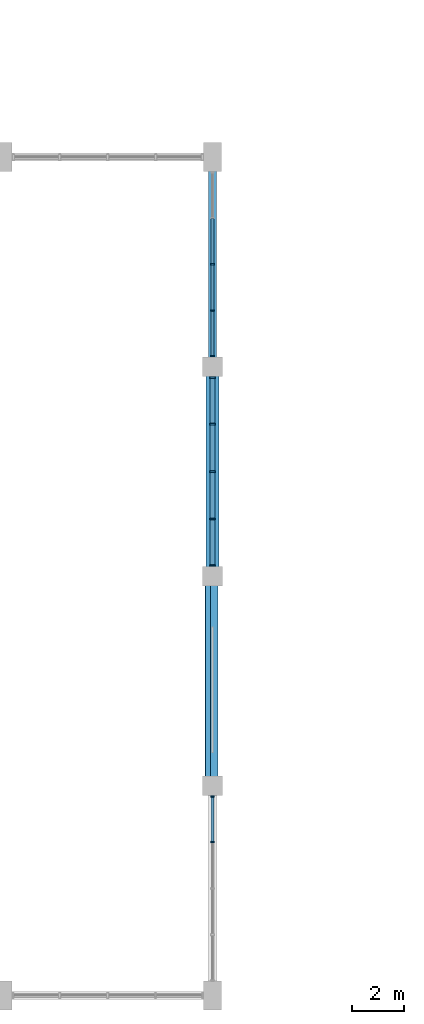
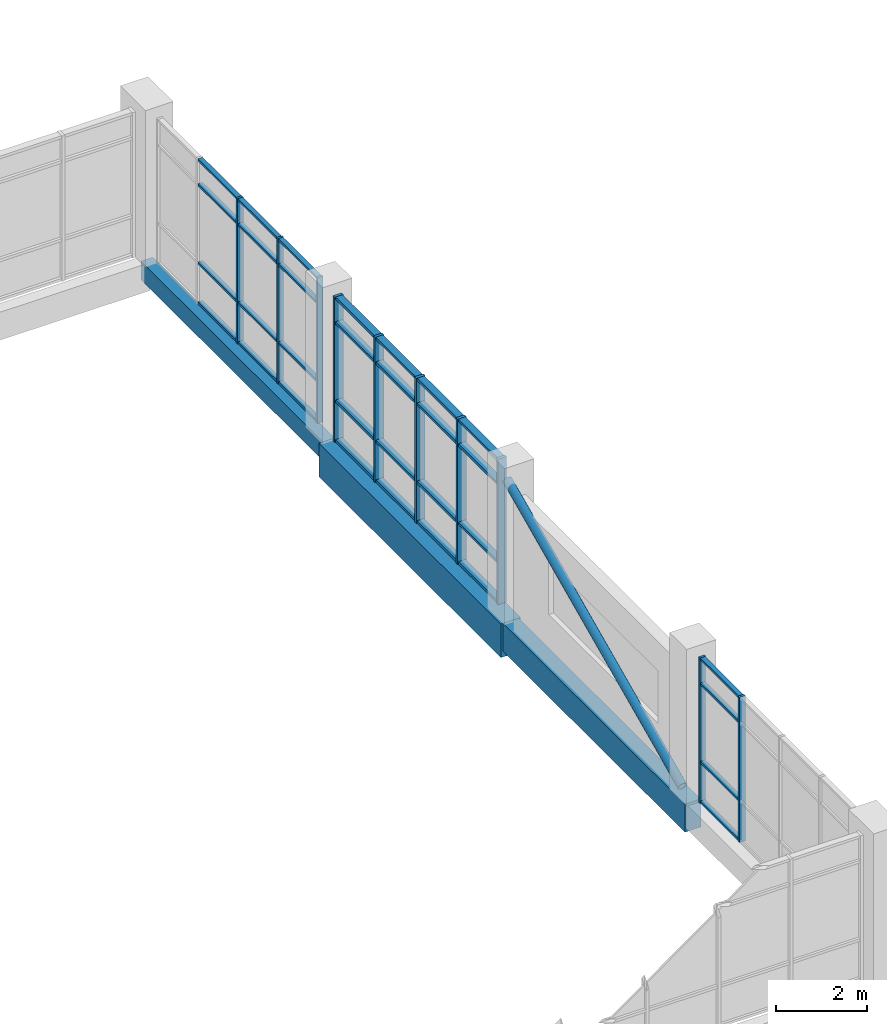
# One storey, part 6 of 72: 43 members, 3 beams, 3 elements without a shape of their own.
"""IFC4 building model written with IfcOpenShell, lengths in metres."""

from ifc_helpers import new_model, si_unit, direction, frame, origin, origin_2d, place, context, subcontext, project, spatial, rectangle, hollow_circle, extrude, material, material_profile, profile_set, type_object, element, aggregate, save


model = new_model("IFC4")

# Units and contexts
model_context = context("Model", 3, precision=1e-05, world=origin(), true_north=direction((0.0, 1.0)))
body_context = subcontext(model_context, "Body", "Model", "MODEL_VIEW")
ifc_project = project(units=[si_unit("LENGTHUNIT", "METRE"), si_unit("AREAUNIT", "SQUARE_METRE"), si_unit("VOLUMEUNIT", "CUBIC_METRE"), si_unit("PLANEANGLEUNIT", "RADIAN"), si_unit("MASSUNIT", "GRAM", prefix="KILO")], contexts=[model_context])

# Site, building, storey
site_placement = place(None, origin())
site = spatial("IfcSite", under=ifc_project, at=site_placement, CompositionType="ELEMENT")
building_placement = place(site_placement, origin())
building = spatial("IfcBuilding", under=site, at=building_placement, Name="Tenunan Teduh Sports Hall", CompositionType="ELEMENT")
storey_placement = place(building_placement, frame((0.0, 0.0, 15.0)))
storey = spatial("IfcBuildingStorey", under=building, at=storey_placement, Name="L03", CompositionType="ELEMENT", Elevation=15.0)

# Beams
ifc_material_1 = material(Name="Concrete C40/50", Category="concrete")
ifc_material_profile_1 = material_profile(ifc_material_1, rectangle(XDim=0.300048828125, YDim=0.5, at=origin_2d()), Name="RCB 300x500")
ifc_profile_set_1 = profile_set([ifc_material_profile_1], Name="Concrete C40/50")
beam_type_1 = type_object("IfcBeamType", Name="BM-RC-300x500", PredefinedType="BEAM", material=ifc_profile_set_1)
beam_1_placement = place(storey_placement, frame((54.0, 38.0, -0.489990234375), z_axis=(0.0, 1.0, 0.0), x_axis=(-1.0, 0.0, 0.0)))
element("IfcBeam", 1, at=beam_1_placement, inside=storey, type_object=beam_type_1, Name="BM-B-01-L03-1921", PredefinedType="BEAM", context=body_context, shape_type="SweptSolid", body=[
    extrude(rectangle(XDim=0.300048828125, YDim=0.5, at=origin_2d()), origin(), (0.0, 0.0, 1.0), 8.0),
])
ifc_material_2 = material(Name="Concrete C40/50", Category="concrete")
ifc_material_profile_2 = material_profile(ifc_material_2, rectangle(XDim=0.39990234375, YDim=0.75, at=origin_2d()), Name="RCB 400x750")
ifc_profile_set_2 = profile_set([ifc_material_profile_2], Name="Concrete C40/50")
beam_type_2 = type_object("IfcBeamType", Name="BM-RC-400x750", PredefinedType="BEAM", material=ifc_profile_set_2)
beam_2_placement = place(storey_placement, frame((54.0, 22.0, -0.614990234375), z_axis=(0.0, 1.0, 0.0), x_axis=(-1.0, 0.0, 0.0)))
element("IfcBeam", 2, at=beam_2_placement, inside=storey, type_object=beam_type_2, Name="BM-B-09-L03-1919", PredefinedType="BEAM", context=body_context, shape_type="SweptSolid", body=[
    extrude(rectangle(XDim=0.39990234375, YDim=0.75, at=origin_2d()), origin(), (0.0, 0.0, 1.0), 8.0),
])
ifc_material_3 = material(Name="Concrete C40/50", Category="concrete")
ifc_material_profile_3 = material_profile(ifc_material_3, rectangle(XDim=0.5, YDim=0.89990234375, at=origin_2d()), Name="RCB 500x900")
ifc_profile_set_3 = profile_set([ifc_material_profile_3], Name="Concrete C40/50")
beam_type_3 = type_object("IfcBeamType", Name="BM-RC-500x900", PredefinedType="BEAM", material=ifc_profile_set_3)
beam_3_placement = place(storey_placement, frame((54.0, 30.0, -0.68994140625), z_axis=(0.0, 1.0, 0.0), x_axis=(-1.0, 0.0, 0.0)))
element("IfcBeam", 3, at=beam_3_placement, inside=storey, type_object=beam_type_3, Name="BM-B-15-L03-1920", PredefinedType="BEAM", context=body_context, shape_type="SweptSolid", body=[
    extrude(rectangle(XDim=0.5, YDim=0.89990234375, at=origin_2d()), origin(), (0.0, 0.0, 1.0), 8.0),
])

# Curtain wall, members
ifc_material_4 = material(Name="Anodised aluminium", Category="aluminium")
curtain_wall_type = type_object("IfcCurtainWallType", Name="CW-UNIT-2", PredefinedType="NOTDEFINED", material=ifc_material_4)
curtain_wall_1_placement = place(storey_placement, origin())
curtain_wall_1 = element("IfcCurtainWall", 4, at=curtain_wall_1_placement, inside=storey, type_object=curtain_wall_type, Name="CW-CWM-150-L03-087", PredefinedType="NOTDEFINED")
ifc_material_5 = material(Name="Anodised aluminium", Category="aluminium")
ifc_material_profile_4 = material_profile(ifc_material_5, rectangle(XDim=0.06005859375, YDim=0.14990234375, at=origin_2d()), Name="CWM 60x150")
ifc_profile_set_4 = profile_set([ifc_material_profile_4], Name="Anodised aluminium")
member_type_1 = type_object("IfcMemberType", Name="CWM-150", PredefinedType="MULLION", material=ifc_profile_set_4)
member_1_placement = place(storey_placement, frame((54.0, 19.856201171875, 0.0), z_axis=(0.0, 0.0, 1.0), x_axis=(0.0, 1.0, 0.0)))
member_1 = element("IfcMember", 5, at=member_1_placement, type_object=member_type_1, Name="CW-02 mullion 4", PredefinedType="MULLION", context=body_context, shape_type="SweptSolid", body=[
    extrude(rectangle(XDim=0.06005859375, YDim=0.14990234375, at=origin_2d()), origin(), (0.0, 0.0, 1.0), 3.89990234375),
])
member_2_placement = place(storey_placement, frame((54.0, 21.594970703125, 0.0), z_axis=(0.0, 0.0, 1.0), x_axis=(0.0, 1.0, 0.0)))
member_2 = element("IfcMember", 6, at=member_2_placement, type_object=member_type_1, Name="CW-02 mullion 5", PredefinedType="MULLION", context=body_context, shape_type="SweptSolid", body=[
    extrude(rectangle(XDim=0.06005859375, YDim=0.14990234375, at=origin_2d()), origin(), (0.0, 0.0, 1.0), 3.89990234375),
])

curtain_wall_2_placement = place(storey_placement, origin())
curtain_wall_2 = element("IfcCurtainWall", 7, at=curtain_wall_2_placement, inside=storey, type_object=curtain_wall_type, Name="CW-CWM-150-L03-091", PredefinedType="NOTDEFINED")
member_3_placement = place(storey_placement, frame((54.0, 38.405029296875, 0.0), z_axis=(0.0, 0.0, 1.0), x_axis=(0.0, 1.0, 0.0)))
member_3 = element("IfcMember", 8, at=member_3_placement, type_object=member_type_1, Name="CW-02 mullion 1", PredefinedType="MULLION", context=body_context, shape_type="SweptSolid", body=[
    extrude(rectangle(XDim=0.06005859375, YDim=0.14990234375, at=origin_2d()), origin(), (0.0, 0.0, 1.0), 3.89990234375),
])
member_4_placement = place(storey_placement, frame((54.0, 40.143798828125, 0.0), z_axis=(0.0, 0.0, 1.0), x_axis=(0.0, 1.0, 0.0)))
member_4 = element("IfcMember", 9, at=member_4_placement, type_object=member_type_1, Name="CW-02 mullion 2", PredefinedType="MULLION", context=body_context, shape_type="SweptSolid", body=[
    extrude(rectangle(XDim=0.06005859375, YDim=0.14990234375, at=origin_2d()), origin(), (0.0, 0.0, 1.0), 3.89990234375),
])
member_5_placement = place(storey_placement, frame((54.0, 41.91259765625, 0.0), z_axis=(0.0, 0.0, 1.0), x_axis=(0.0, 1.0, 0.0)))
member_5 = element("IfcMember", 10, at=member_5_placement, type_object=member_type_1, Name="CW-02 mullion 3", PredefinedType="MULLION", context=body_context, shape_type="SweptSolid", body=[
    extrude(rectangle(XDim=0.06005859375, YDim=0.14990234375, at=origin_2d()), origin(), (0.0, 0.0, 1.0), 3.89990234375),
])

curtain_wall_3_placement = place(storey_placement, origin())
curtain_wall_3 = element("IfcCurtainWall", 11, at=curtain_wall_3_placement, inside=storey, type_object=curtain_wall_type, Name="CW-CWM-220-L03-089", PredefinedType="NOTDEFINED")
ifc_material_6 = material(Name="Anodised aluminium", Category="aluminium")
ifc_material_profile_5 = material_profile(ifc_material_6, rectangle(XDim=0.074951171875, YDim=0.219970703125, at=origin_2d()), Name="CWM 75x220")
ifc_profile_set_5 = profile_set([ifc_material_profile_5], Name="Anodised aluminium")
member_type_2 = type_object("IfcMemberType", Name="CWM-220", PredefinedType="MULLION", material=ifc_profile_set_5)
member_6_placement = place(storey_placement, frame((54.0, 30.41259765625, 0.0), z_axis=(0.0, 0.0, 1.0), x_axis=(0.0, 1.0, 0.0)))
member_6 = element("IfcMember", 12, at=member_6_placement, type_object=member_type_2, Name="CW-02 mullion 1", PredefinedType="MULLION", context=body_context, shape_type="SweptSolid", body=[
    extrude(rectangle(XDim=0.074951171875, YDim=0.219970703125, at=origin_2d()), origin(), (0.0, 0.0, 1.0), 3.89990234375),
])
member_7_placement = place(storey_placement, frame((54.0, 32.1875, 0.0), z_axis=(0.0, 0.0, 1.0), x_axis=(0.0, 1.0, 0.0)))
member_7 = element("IfcMember", 13, at=member_7_placement, type_object=member_type_2, Name="CW-02 mullion 2", PredefinedType="MULLION", context=body_context, shape_type="SweptSolid", body=[
    extrude(rectangle(XDim=0.074951171875, YDim=0.219970703125, at=origin_2d()), origin(), (0.0, 0.0, 1.0), 3.89990234375),
])
member_8_placement = place(storey_placement, frame((54.0, 34.0, 0.0), z_axis=(0.0, 0.0, 1.0), x_axis=(0.0, 1.0, 0.0)))
member_8 = element("IfcMember", 14, at=member_8_placement, type_object=member_type_2, Name="CW-02 mullion 3", PredefinedType="MULLION", context=body_context, shape_type="SweptSolid", body=[
    extrude(rectangle(XDim=0.074951171875, YDim=0.219970703125, at=origin_2d()), origin(), (0.0, 0.0, 1.0), 3.89990234375),
])
member_9_placement = place(storey_placement, frame((54.0, 35.8125, 0.0), z_axis=(0.0, 0.0, 1.0), x_axis=(0.0, 1.0, 0.0)))
member_9 = element("IfcMember", 15, at=member_9_placement, type_object=member_type_2, Name="CW-02 mullion 4", PredefinedType="MULLION", context=body_context, shape_type="SweptSolid", body=[
    extrude(rectangle(XDim=0.074951171875, YDim=0.219970703125, at=origin_2d()), origin(), (0.0, 0.0, 1.0), 3.89990234375),
])
member_10_placement = place(storey_placement, frame((54.0, 37.58740234375, 0.0), z_axis=(0.0, 0.0, 1.0), x_axis=(0.0, 1.0, 0.0)))
member_10 = element("IfcMember", 16, at=member_10_placement, type_object=member_type_2, Name="CW-02 mullion 5", PredefinedType="MULLION", context=body_context, shape_type="SweptSolid", body=[
    extrude(rectangle(XDim=0.074951171875, YDim=0.219970703125, at=origin_2d()), origin(), (0.0, 0.0, 1.0), 3.89990234375),
])

# Member
ifc_material_7 = material(Name="Anodised aluminium", Category="aluminium")
ifc_material_profile_6 = material_profile(ifc_material_7, rectangle(XDim=0.06005859375, YDim=0.1201171875, at=origin_2d()), Name="CWT 60x120")
ifc_profile_set_6 = profile_set([ifc_material_profile_6], Name="Anodised aluminium")
member_type_3 = type_object("IfcMemberType", Name="CWT-125", PredefinedType="USERDEFINED", material=ifc_profile_set_6)
member_11_placement = place(storey_placement, frame((54.0, 19.88623046875, 0.030029296875), z_axis=(0.0, 1.0, 0.0), x_axis=(0.0, 0.0, 1.0)))
member_11 = element("IfcMember", 17, at=member_11_placement, type_object=member_type_3, Name="CW-02 transom 4.1", ObjectType="TRANSOM", PredefinedType="USERDEFINED", context=body_context, shape_type="SweptSolid", body=[
    extrude(rectangle(XDim=0.06005859375, YDim=0.1201171875, at=origin_2d()), origin(), (0.0, 0.0, 1.0), 1.6787109375),
])

member_12_placement = place(storey_placement, frame((54.0, 19.88623046875, 1.10009765625), z_axis=(0.0, 1.0, 0.0), x_axis=(0.0, 0.0, 1.0)))
member_12 = element("IfcMember", 18, at=member_12_placement, type_object=member_type_3, Name="CW-02 transom 4.2", ObjectType="TRANSOM", PredefinedType="USERDEFINED", context=body_context, shape_type="SweptSolid", body=[
    extrude(rectangle(XDim=0.06005859375, YDim=0.1201171875, at=origin_2d()), origin(), (0.0, 0.0, 1.0), 1.6787109375),
])

member_13_placement = place(storey_placement, frame((54.0, 19.88623046875, 3.199951171875), z_axis=(0.0, 1.0, 0.0), x_axis=(0.0, 0.0, 1.0)))
member_13 = element("IfcMember", 19, at=member_13_placement, type_object=member_type_3, Name="CW-02 transom 4.3", ObjectType="TRANSOM", PredefinedType="USERDEFINED", context=body_context, shape_type="SweptSolid", body=[
    extrude(rectangle(XDim=0.06005859375, YDim=0.1201171875, at=origin_2d()), origin(), (0.0, 0.0, 1.0), 1.6787109375),
])

member_14_placement = place(storey_placement, frame((54.0, 19.88623046875, 3.8701171875), z_axis=(0.0, 1.0, 0.0), x_axis=(0.0, 0.0, 1.0)))
member_14 = element("IfcMember", 20, at=member_14_placement, type_object=member_type_3, Name="CW-02 transom 4.4", ObjectType="TRANSOM", PredefinedType="USERDEFINED", context=body_context, shape_type="SweptSolid", body=[
    extrude(rectangle(XDim=0.06005859375, YDim=0.1201171875, at=origin_2d()), origin(), (0.0, 0.0, 1.0), 1.6787109375),
])

aggregate(curtain_wall_1, [member_1, member_2, member_11, member_12, member_13, member_14])

member_15_placement = place(storey_placement, frame((54.0, 38.43505859375, 0.030029296875), z_axis=(0.0, 1.0, 0.0), x_axis=(0.0, 0.0, 1.0)))
member_15 = element("IfcMember", 21, at=member_15_placement, type_object=member_type_3, Name="CW-02 transom 1.1", ObjectType="TRANSOM", PredefinedType="USERDEFINED", context=body_context, shape_type="SweptSolid", body=[
    extrude(rectangle(XDim=0.06005859375, YDim=0.1201171875, at=origin_2d()), origin(), (0.0, 0.0, 1.0), 1.6787109375),
])

member_16_placement = place(storey_placement, frame((54.0, 38.43505859375, 1.10009765625), z_axis=(0.0, 1.0, 0.0), x_axis=(0.0, 0.0, 1.0)))
member_16 = element("IfcMember", 22, at=member_16_placement, type_object=member_type_3, Name="CW-02 transom 1.2", ObjectType="TRANSOM", PredefinedType="USERDEFINED", context=body_context, shape_type="SweptSolid", body=[
    extrude(rectangle(XDim=0.06005859375, YDim=0.1201171875, at=origin_2d()), origin(), (0.0, 0.0, 1.0), 1.6787109375),
])

member_17_placement = place(storey_placement, frame((54.0, 38.43505859375, 3.199951171875), z_axis=(0.0, 1.0, 0.0), x_axis=(0.0, 0.0, 1.0)))
member_17 = element("IfcMember", 23, at=member_17_placement, type_object=member_type_3, Name="CW-02 transom 1.3", ObjectType="TRANSOM", PredefinedType="USERDEFINED", context=body_context, shape_type="SweptSolid", body=[
    extrude(rectangle(XDim=0.06005859375, YDim=0.1201171875, at=origin_2d()), origin(), (0.0, 0.0, 1.0), 1.6787109375),
])

member_18_placement = place(storey_placement, frame((54.0, 38.43505859375, 3.8701171875), z_axis=(0.0, 1.0, 0.0), x_axis=(0.0, 0.0, 1.0)))
member_18 = element("IfcMember", 24, at=member_18_placement, type_object=member_type_3, Name="CW-02 transom 1.4", ObjectType="TRANSOM", PredefinedType="USERDEFINED", context=body_context, shape_type="SweptSolid", body=[
    extrude(rectangle(XDim=0.06005859375, YDim=0.1201171875, at=origin_2d()), origin(), (0.0, 0.0, 1.0), 1.6787109375),
])

member_19_placement = place(storey_placement, frame((54.0, 40.173828125, 0.030029296875), z_axis=(0.0, 1.0, 0.0), x_axis=(0.0, 0.0, 1.0)))
member_19 = element("IfcMember", 25, at=member_19_placement, type_object=member_type_3, Name="CW-02 transom 2.1", ObjectType="TRANSOM", PredefinedType="USERDEFINED", context=body_context, shape_type="SweptSolid", body=[
    extrude(rectangle(XDim=0.06005859375, YDim=0.1201171875, at=origin_2d()), origin(), (0.0, 0.0, 1.0), 1.708740234375),
])

member_20_placement = place(storey_placement, frame((54.0, 40.173828125, 1.10009765625), z_axis=(0.0, 1.0, 0.0), x_axis=(0.0, 0.0, 1.0)))
member_20 = element("IfcMember", 26, at=member_20_placement, type_object=member_type_3, Name="CW-02 transom 2.2", ObjectType="TRANSOM", PredefinedType="USERDEFINED", context=body_context, shape_type="SweptSolid", body=[
    extrude(rectangle(XDim=0.06005859375, YDim=0.1201171875, at=origin_2d()), origin(), (0.0, 0.0, 1.0), 1.708740234375),
])

member_21_placement = place(storey_placement, frame((54.0, 40.173828125, 3.199951171875), z_axis=(0.0, 1.0, 0.0), x_axis=(0.0, 0.0, 1.0)))
member_21 = element("IfcMember", 27, at=member_21_placement, type_object=member_type_3, Name="CW-02 transom 2.3", ObjectType="TRANSOM", PredefinedType="USERDEFINED", context=body_context, shape_type="SweptSolid", body=[
    extrude(rectangle(XDim=0.06005859375, YDim=0.1201171875, at=origin_2d()), origin(), (0.0, 0.0, 1.0), 1.708740234375),
])

member_22_placement = place(storey_placement, frame((54.0, 40.173828125, 3.8701171875), z_axis=(0.0, 1.0, 0.0), x_axis=(0.0, 0.0, 1.0)))
member_22 = element("IfcMember", 28, at=member_22_placement, type_object=member_type_3, Name="CW-02 transom 2.4", ObjectType="TRANSOM", PredefinedType="USERDEFINED", context=body_context, shape_type="SweptSolid", body=[
    extrude(rectangle(XDim=0.06005859375, YDim=0.1201171875, at=origin_2d()), origin(), (0.0, 0.0, 1.0), 1.708740234375),
])

member_23_placement = place(storey_placement, frame((54.0, 41.9423828125, 0.030029296875), z_axis=(0.0, 1.0, 0.0), x_axis=(0.0, 0.0, 1.0)))
member_23 = element("IfcMember", 29, at=member_23_placement, type_object=member_type_3, Name="CW-02 transom 3.1", ObjectType="TRANSOM", PredefinedType="USERDEFINED", context=body_context, shape_type="SweptSolid", body=[
    extrude(rectangle(XDim=0.06005859375, YDim=0.1201171875, at=origin_2d()), origin(), (0.0, 0.0, 1.0), 1.708984375),
])

member_24_placement = place(storey_placement, frame((54.0, 41.9423828125, 1.10009765625), z_axis=(0.0, 1.0, 0.0), x_axis=(0.0, 0.0, 1.0)))
member_24 = element("IfcMember", 30, at=member_24_placement, type_object=member_type_3, Name="CW-02 transom 3.2", ObjectType="TRANSOM", PredefinedType="USERDEFINED", context=body_context, shape_type="SweptSolid", body=[
    extrude(rectangle(XDim=0.06005859375, YDim=0.1201171875, at=origin_2d()), origin(), (0.0, 0.0, 1.0), 1.708984375),
])

member_25_placement = place(storey_placement, frame((54.0, 41.9423828125, 3.199951171875), z_axis=(0.0, 1.0, 0.0), x_axis=(0.0, 0.0, 1.0)))
member_25 = element("IfcMember", 31, at=member_25_placement, type_object=member_type_3, Name="CW-02 transom 3.3", ObjectType="TRANSOM", PredefinedType="USERDEFINED", context=body_context, shape_type="SweptSolid", body=[
    extrude(rectangle(XDim=0.06005859375, YDim=0.1201171875, at=origin_2d()), origin(), (0.0, 0.0, 1.0), 1.708984375),
])

member_26_placement = place(storey_placement, frame((54.0, 41.9423828125, 3.8701171875), z_axis=(0.0, 1.0, 0.0), x_axis=(0.0, 0.0, 1.0)))
member_26 = element("IfcMember", 32, at=member_26_placement, type_object=member_type_3, Name="CW-02 transom 3.4", ObjectType="TRANSOM", PredefinedType="USERDEFINED", context=body_context, shape_type="SweptSolid", body=[
    extrude(rectangle(XDim=0.06005859375, YDim=0.1201171875, at=origin_2d()), origin(), (0.0, 0.0, 1.0), 1.708984375),
])

aggregate(curtain_wall_2, [member_3, member_4, member_5, member_15, member_16, member_17, member_18, member_19, member_20, member_21, member_22, member_23, member_24, member_25, member_26])

ifc_material_8 = material(Name="Anodised aluminium", Category="aluminium")
ifc_material_profile_7 = material_profile(ifc_material_8, rectangle(XDim=0.074951171875, YDim=0.179931640625, at=origin_2d()), Name="CWT 75x180")
ifc_profile_set_7 = profile_set([ifc_material_profile_7], Name="Anodised aluminium")
member_type_4 = type_object("IfcMemberType", Name="CWT-180", PredefinedType="USERDEFINED", material=ifc_profile_set_7)
member_27_placement = place(storey_placement, frame((54.0, 30.449951171875, 0.03759765625), z_axis=(0.0, 1.0, 0.0), x_axis=(0.0, 0.0, 1.0)))
member_27 = element("IfcMember", 33, at=member_27_placement, type_object=member_type_4, Name="CW-02 transom 1.1", ObjectType="TRANSOM", PredefinedType="USERDEFINED", context=body_context, shape_type="SweptSolid", body=[
    extrude(rectangle(XDim=0.074951171875, YDim=0.179931640625, at=origin_2d()), origin(), (0.0, 0.0, 1.0), 1.699951171875),
])

member_28_placement = place(storey_placement, frame((54.0, 30.449951171875, 1.10009765625), z_axis=(0.0, 1.0, 0.0), x_axis=(0.0, 0.0, 1.0)))
member_28 = element("IfcMember", 34, at=member_28_placement, type_object=member_type_4, Name="CW-02 transom 1.2", ObjectType="TRANSOM", PredefinedType="USERDEFINED", context=body_context, shape_type="SweptSolid", body=[
    extrude(rectangle(XDim=0.074951171875, YDim=0.179931640625, at=origin_2d()), origin(), (0.0, 0.0, 1.0), 1.699951171875),
])

member_29_placement = place(storey_placement, frame((54.0, 30.449951171875, 3.199951171875), z_axis=(0.0, 1.0, 0.0), x_axis=(0.0, 0.0, 1.0)))
member_29 = element("IfcMember", 35, at=member_29_placement, type_object=member_type_4, Name="CW-02 transom 1.3", ObjectType="TRANSOM", PredefinedType="USERDEFINED", context=body_context, shape_type="SweptSolid", body=[
    extrude(rectangle(XDim=0.074951171875, YDim=0.179931640625, at=origin_2d()), origin(), (0.0, 0.0, 1.0), 1.699951171875),
])

member_30_placement = place(storey_placement, frame((54.0, 30.449951171875, 3.862548828125), z_axis=(0.0, 1.0, 0.0), x_axis=(0.0, 0.0, 1.0)))
member_30 = element("IfcMember", 36, at=member_30_placement, type_object=member_type_4, Name="CW-02 transom 1.4", ObjectType="TRANSOM", PredefinedType="USERDEFINED", context=body_context, shape_type="SweptSolid", body=[
    extrude(rectangle(XDim=0.074951171875, YDim=0.179931640625, at=origin_2d()), origin(), (0.0, 0.0, 1.0), 1.699951171875),
])

member_31_placement = place(storey_placement, frame((54.0, 32.22509765625, 0.03759765625), z_axis=(0.0, 1.0, 0.0), x_axis=(0.0, 0.0, 1.0)))
member_31 = element("IfcMember", 37, at=member_31_placement, type_object=member_type_4, Name="CW-02 transom 2.1", ObjectType="TRANSOM", PredefinedType="USERDEFINED", context=body_context, shape_type="SweptSolid", body=[
    extrude(rectangle(XDim=0.074951171875, YDim=0.179931640625, at=origin_2d()), origin(), (0.0, 0.0, 1.0), 1.7373046875),
])

member_32_placement = place(storey_placement, frame((54.0, 32.22509765625, 1.10009765625), z_axis=(0.0, 1.0, 0.0), x_axis=(0.0, 0.0, 1.0)))
member_32 = element("IfcMember", 38, at=member_32_placement, type_object=member_type_4, Name="CW-02 transom 2.2", ObjectType="TRANSOM", PredefinedType="USERDEFINED", context=body_context, shape_type="SweptSolid", body=[
    extrude(rectangle(XDim=0.074951171875, YDim=0.179931640625, at=origin_2d()), origin(), (0.0, 0.0, 1.0), 1.7373046875),
])

member_33_placement = place(storey_placement, frame((54.0, 32.22509765625, 3.199951171875), z_axis=(0.0, 1.0, 0.0), x_axis=(0.0, 0.0, 1.0)))
member_33 = element("IfcMember", 39, at=member_33_placement, type_object=member_type_4, Name="CW-02 transom 2.3", ObjectType="TRANSOM", PredefinedType="USERDEFINED", context=body_context, shape_type="SweptSolid", body=[
    extrude(rectangle(XDim=0.074951171875, YDim=0.179931640625, at=origin_2d()), origin(), (0.0, 0.0, 1.0), 1.7373046875),
])

member_34_placement = place(storey_placement, frame((54.0, 32.22509765625, 3.862548828125), z_axis=(0.0, 1.0, 0.0), x_axis=(0.0, 0.0, 1.0)))
member_34 = element("IfcMember", 40, at=member_34_placement, type_object=member_type_4, Name="CW-02 transom 2.4", ObjectType="TRANSOM", PredefinedType="USERDEFINED", context=body_context, shape_type="SweptSolid", body=[
    extrude(rectangle(XDim=0.074951171875, YDim=0.179931640625, at=origin_2d()), origin(), (0.0, 0.0, 1.0), 1.7373046875),
])

member_35_placement = place(storey_placement, frame((54.0, 34.03759765625, 0.03759765625), z_axis=(0.0, 1.0, 0.0), x_axis=(0.0, 0.0, 1.0)))
member_35 = element("IfcMember", 41, at=member_35_placement, type_object=member_type_4, Name="CW-02 transom 3.1", ObjectType="TRANSOM", PredefinedType="USERDEFINED", context=body_context, shape_type="SweptSolid", body=[
    extrude(rectangle(XDim=0.074951171875, YDim=0.179931640625, at=origin_2d()), origin(), (0.0, 0.0, 1.0), 1.7373046875),
])

member_36_placement = place(storey_placement, frame((54.0, 34.03759765625, 1.10009765625), z_axis=(0.0, 1.0, 0.0), x_axis=(0.0, 0.0, 1.0)))
member_36 = element("IfcMember", 42, at=member_36_placement, type_object=member_type_4, Name="CW-02 transom 3.2", ObjectType="TRANSOM", PredefinedType="USERDEFINED", context=body_context, shape_type="SweptSolid", body=[
    extrude(rectangle(XDim=0.074951171875, YDim=0.179931640625, at=origin_2d()), origin(), (0.0, 0.0, 1.0), 1.7373046875),
])

member_37_placement = place(storey_placement, frame((54.0, 34.03759765625, 3.199951171875), z_axis=(0.0, 1.0, 0.0), x_axis=(0.0, 0.0, 1.0)))
member_37 = element("IfcMember", 43, at=member_37_placement, type_object=member_type_4, Name="CW-02 transom 3.3", ObjectType="TRANSOM", PredefinedType="USERDEFINED", context=body_context, shape_type="SweptSolid", body=[
    extrude(rectangle(XDim=0.074951171875, YDim=0.179931640625, at=origin_2d()), origin(), (0.0, 0.0, 1.0), 1.7373046875),
])

member_38_placement = place(storey_placement, frame((54.0, 34.03759765625, 3.862548828125), z_axis=(0.0, 1.0, 0.0), x_axis=(0.0, 0.0, 1.0)))
member_38 = element("IfcMember", 44, at=member_38_placement, type_object=member_type_4, Name="CW-02 transom 3.4", ObjectType="TRANSOM", PredefinedType="USERDEFINED", context=body_context, shape_type="SweptSolid", body=[
    extrude(rectangle(XDim=0.074951171875, YDim=0.179931640625, at=origin_2d()), origin(), (0.0, 0.0, 1.0), 1.7373046875),
])

member_39_placement = place(storey_placement, frame((54.0, 35.85009765625, 0.03759765625), z_axis=(0.0, 1.0, 0.0), x_axis=(0.0, 0.0, 1.0)))
member_39 = element("IfcMember", 45, at=member_39_placement, type_object=member_type_4, Name="CW-02 transom 4.1", ObjectType="TRANSOM", PredefinedType="USERDEFINED", context=body_context, shape_type="SweptSolid", body=[
    extrude(rectangle(XDim=0.074951171875, YDim=0.179931640625, at=origin_2d()), origin(), (0.0, 0.0, 1.0), 1.699951171875),
])

member_40_placement = place(storey_placement, frame((54.0, 35.85009765625, 1.10009765625), z_axis=(0.0, 1.0, 0.0), x_axis=(0.0, 0.0, 1.0)))
member_40 = element("IfcMember", 46, at=member_40_placement, type_object=member_type_4, Name="CW-02 transom 4.2", ObjectType="TRANSOM", PredefinedType="USERDEFINED", context=body_context, shape_type="SweptSolid", body=[
    extrude(rectangle(XDim=0.074951171875, YDim=0.179931640625, at=origin_2d()), origin(), (0.0, 0.0, 1.0), 1.699951171875),
])

member_41_placement = place(storey_placement, frame((54.0, 35.85009765625, 3.199951171875), z_axis=(0.0, 1.0, 0.0), x_axis=(0.0, 0.0, 1.0)))
member_41 = element("IfcMember", 47, at=member_41_placement, type_object=member_type_4, Name="CW-02 transom 4.3", ObjectType="TRANSOM", PredefinedType="USERDEFINED", context=body_context, shape_type="SweptSolid", body=[
    extrude(rectangle(XDim=0.074951171875, YDim=0.179931640625, at=origin_2d()), origin(), (0.0, 0.0, 1.0), 1.699951171875),
])

member_42_placement = place(storey_placement, frame((54.0, 35.85009765625, 3.862548828125), z_axis=(0.0, 1.0, 0.0), x_axis=(0.0, 0.0, 1.0)))
member_42 = element("IfcMember", 48, at=member_42_placement, type_object=member_type_4, Name="CW-02 transom 4.4", ObjectType="TRANSOM", PredefinedType="USERDEFINED", context=body_context, shape_type="SweptSolid", body=[
    extrude(rectangle(XDim=0.074951171875, YDim=0.179931640625, at=origin_2d()), origin(), (0.0, 0.0, 1.0), 1.699951171875),
])

aggregate(curtain_wall_3, [member_6, member_7, member_8, member_9, member_10, member_27, member_28, member_29, member_30, member_31, member_32, member_33, member_34, member_35, member_36, member_37, member_38, member_39, member_40, member_41, member_42])

ifc_material_9 = material(Name="Steel S355", Category="steel")
ifc_material_profile_8 = material_profile(ifc_material_9, hollow_circle(Radius=0.109619140625, WallThickness=0.010009765625, at=origin_2d()), Name="CHS 219.1x10.0")
ifc_profile_set_8 = profile_set([ifc_material_profile_8], Name="Steel S355")
member_type_5 = type_object("IfcMemberType", Name="MEM-BR-CHS219", PredefinedType="BRACE", material=ifc_profile_set_8)
member_43_placement = place(storey_placement, frame((53.820068359375, 22.14990234375, 0.14990234375), z_axis=(0.0, 0.908133749762, 0.418680179305), x_axis=(-1.0, 0.0, 0.0)))
element("IfcMember", 49, at=member_43_placement, inside=storey, type_object=member_type_5, Name="MEM-GD-02-L03-1452", PredefinedType="BRACE", context=body_context, shape_type="SweptSolid", body=[
    extrude(hollow_circle(Radius=0.109619140625, WallThickness=0.010009765625, at=origin_2d()), origin(), (0.0, 0.0, 1.0), 8.479248046875),
])

save(model, "model.ifc")
